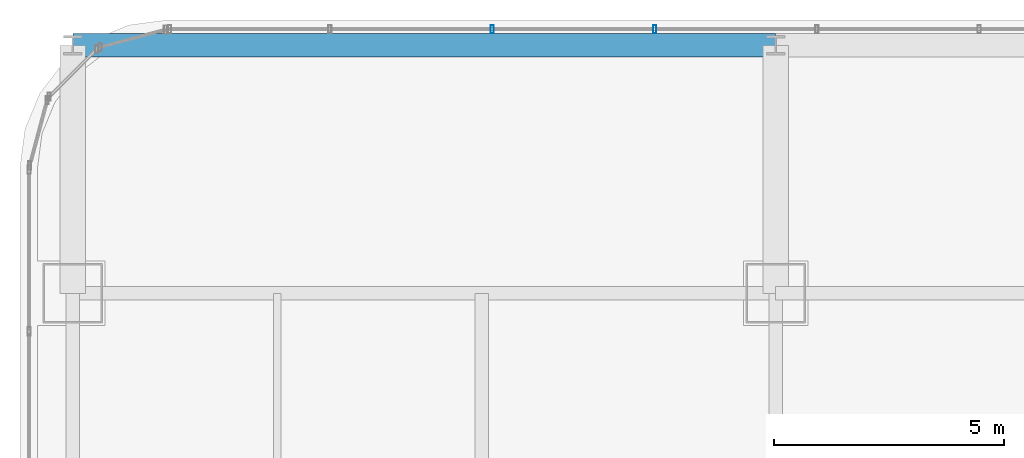
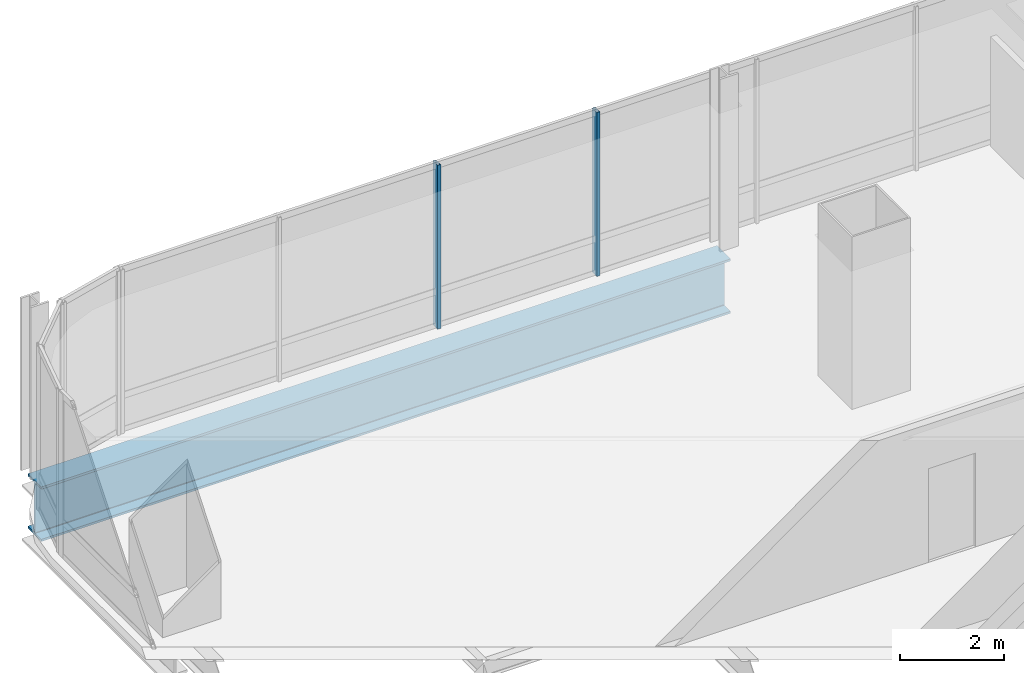
# One storey, part 25 of 39: 2 members, 1 beam, 1 element without a shape of its own.
"""IFC4 building model written with IfcOpenShell, lengths in metres."""

from ifc_helpers import new_model, si_unit, direction, frame, origin, origin_2d, place, context, subcontext, project, spatial, hollow_rectangle, i_section, extrude, material, material_profile, profile_set, type_object, element, aggregate, save


model = new_model("IFC4")

# Units and contexts
model_context = context("Model", 3, precision=1e-05, world=origin(), true_north=direction((0.0, 1.0)))
body_context = subcontext(model_context, "Body", "Model", "MODEL_VIEW")
ifc_project = project(units=[si_unit("LENGTHUNIT", "METRE"), si_unit("AREAUNIT", "SQUARE_METRE"), si_unit("VOLUMEUNIT", "CUBIC_METRE"), si_unit("PLANEANGLEUNIT", "RADIAN"), si_unit("MASSUNIT", "GRAM", prefix="KILO")], contexts=[model_context])

# Site, building, storey
site_placement = place(None, origin())
site = spatial("IfcSite", under=ifc_project, at=site_placement, CompositionType="ELEMENT")
building_placement = place(site_placement, origin())
building = spatial("IfcBuilding", under=site, at=building_placement, Name="Punatoya Terracotta Tower", CompositionType="ELEMENT")
storey_placement = place(building_placement, frame((0.0, 0.0, 275.699951171875)))
storey = spatial("IfcBuildingStorey", under=building, at=storey_placement, Name="L65", CompositionType="ELEMENT", Elevation=275.699951171875)

# Beam
ifc_material_1 = material(Name="Steel S460", Category="steel")
ifc_material_profile_1 = material_profile(ifc_material_1, i_section(OverallWidth=0.52001953125, OverallDepth=1.280029296875, WebThickness=0.031982421875, FlangeThickness=0.050048828125, FilletRadius=0.01806640625, at=origin_2d()))
ifc_profile_set_1 = profile_set([ifc_material_profile_1], Name="Steel S460")
beam_type = type_object("IfcBeamType", Name="BM-TG-NCK", PredefinedType="BEAM", material=ifc_profile_set_1)
beam_placement = place(storey_placement, frame((-19.10009765625, 22.89990234375, -0.83984375), z_axis=(1.0, 0.0, 0.0), x_axis=(0.0, 1.0, 0.0)))
element("IfcBeam", 1, at=beam_placement, inside=storey, type_object=beam_type, Name="BM-L65-PER-N1", PredefinedType="BEAM", context=body_context, shape_type="SweptSolid", body=[
    extrude(i_section(OverallWidth=0.52001953125, OverallDepth=1.280029296875, WebThickness=0.031982421875, FlangeThickness=0.050048828125, FilletRadius=0.01806640625, at=origin_2d()), origin(), (0.0, 0.0, 1.0), 15.300048828125),
])

# Curtain wall, members
ifc_material_2 = material(Name="Aluminium 6063-T6 + Double Low-E Glass", Category="aluminium")
curtain_wall_type = type_object("IfcCurtainWallType", Name="CW-M3", PredefinedType="NOTDEFINED", material=ifc_material_2)
curtain_wall_placement = place(storey_placement, origin())
curtain_wall = element("IfcCurtainWall", 2, at=curtain_wall_placement, inside=storey, type_object=curtain_wall_type, Name="L65 Curtain Wall CW-L65-N09-1", PredefinedType="NOTDEFINED")
ifc_material_3 = material(Name="Aluminium 6063-T6", Category="aluminium")
ifc_material_profile_2 = material_profile(ifc_material_3, hollow_rectangle(XDim=0.070068359375, YDim=0.179931640625, WallThickness=0.00390625, at=origin_2d()))
ifc_profile_set_2 = profile_set([ifc_material_profile_2], Name="Aluminium 6063-T6")
member_type = type_object("IfcMemberType", Name="CW-MUL-M3", PredefinedType="MULLION", material=ifc_profile_set_2)
member_1_placement = place(storey_placement, frame((-6.43505859375, 23.25, 0.0), z_axis=(0.0, 0.0, 1.0), x_axis=(1.0, 0.0, 0.0)))
member_1 = element("IfcMember", 3, at=member_1_placement, type_object=member_type, Name="CW-L65-N09-1 Mullion 08", PredefinedType="MULLION", context=body_context, shape_type="SweptSolid", body=[
    extrude(hollow_rectangle(XDim=0.070068359375, YDim=0.179931640625, WallThickness=0.00390625, at=origin_2d()), origin(), (0.0, 0.0, 1.0), 3.85009765625),
])
member_2_placement = place(storey_placement, frame((-9.968994140625, 23.25, 0.0), z_axis=(0.0, 0.0, 1.0), x_axis=(1.0, 0.0, 0.0)))
member_2 = element("IfcMember", 4, at=member_2_placement, type_object=member_type, Name="CW-L65-N09-1 Mullion 09", PredefinedType="MULLION", context=body_context, shape_type="SweptSolid", body=[
    extrude(hollow_rectangle(XDim=0.070068359375, YDim=0.179931640625, WallThickness=0.00390625, at=origin_2d()), origin(), (0.0, 0.0, 1.0), 3.85009765625),
])
aggregate(curtain_wall, [member_1, member_2])

save(model, "model.ifc")
